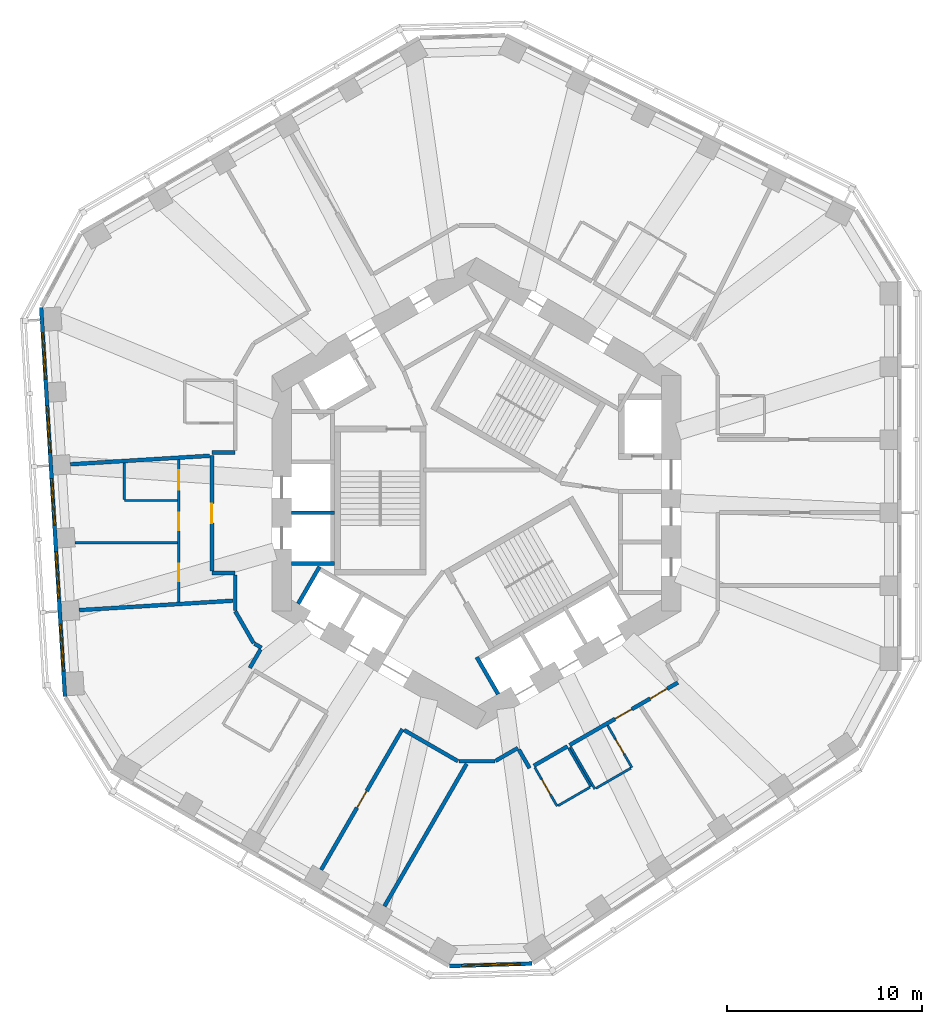
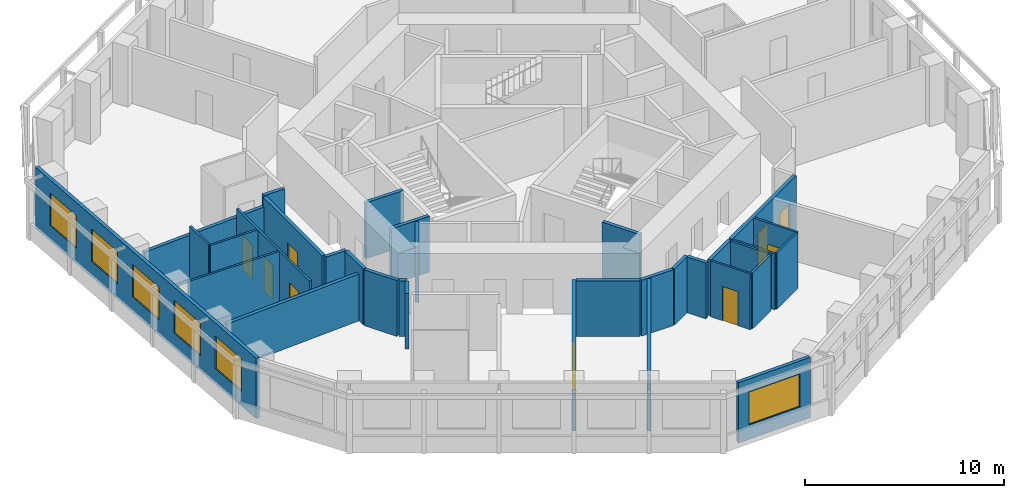
# One storey, part 4 of 11: 33 walls, 9 doors, 6 windows, 15 openings.
"""IFC4 building model written with IfcOpenShell, lengths in metres."""

from ifc_helpers import new_model, si_unit, direction, frame, frame_2d, origin, place, context, subcontext, project, spatial, rectangle, extrude, material, layer, layer_set, type_object, element, fill, save


model = new_model("IFC4")

# Units and contexts
model_context = context("Model", 3, precision=1e-05, world=origin(), true_north=direction((0.0, 1.0)))
body_context = subcontext(model_context, "Body", "Model", "MODEL_VIEW")
ifc_project = project(units=[si_unit("LENGTHUNIT", "METRE"), si_unit("AREAUNIT", "SQUARE_METRE"), si_unit("VOLUMEUNIT", "CUBIC_METRE"), si_unit("PLANEANGLEUNIT", "RADIAN"), si_unit("MASSUNIT", "GRAM", prefix="KILO")], contexts=[model_context])

# Site, building, storey
site_placement = place(None, origin())
site = spatial("IfcSite", under=ifc_project, at=site_placement, CompositionType="ELEMENT")
building_placement = place(site_placement, origin())
building = spatial("IfcBuilding", under=site, at=building_placement, Name="Vanh Sen Convention Tower", CompositionType="ELEMENT")
storey_placement = place(building_placement, frame((0.0, 0.0, 176.199951171875)))
storey = spatial("IfcBuildingStorey", under=building, at=storey_placement, Name="L43", CompositionType="ELEMENT", Elevation=176.199951171875)

# Walls
ifc_material_1 = material(Name="Moisture-resistant gypsum board on steel studs", Category="steel")
ifc_layer_1 = layer(ifc_material_1, 0.1201171875)
ifc_layer_set_1 = layer_set([ifc_layer_1], Name="Moisture-resistant gypsum board on steel studs")
wall_type_1 = type_object("IfcWallType", Name="Bathroom partition 120", PredefinedType="PARTITIONING", material=ifc_layer_set_1)
wall_1_placement = place(storey_placement, frame((-20.63330078125, -2.540771484375, 0.0), z_axis=(0.0, 0.0, 1.0), x_axis=(1.0, 0.0, 0.0)))
element("IfcWall", 1, at=wall_1_placement, inside=storey, type_object=wall_type_1, Name="Bathroom partition 120", PredefinedType="PARTITIONING", context=body_context, shape_type="SweptSolid", body=[
    extrude(rectangle(XDim=5.272216796875, YDim=0.1201171875, at=frame_2d((2.63623046875, 0.0))), origin(), (0.0, 0.0, 1.0), 3.420166015625),
])
wall_2_placement = place(storey_placement, frame((-18.10107421875, -0.369384765625, 0.0), z_axis=(0.0, 0.0, 1.0), x_axis=(1.0, 0.0, 0.0)))
element("IfcWall", 2, at=wall_2_placement, inside=storey, type_object=wall_type_1, Name="Bathroom partition 120", PredefinedType="PARTITIONING", context=body_context, shape_type="SweptSolid", body=[
    extrude(rectangle(XDim=2.739990234375, YDim=0.1201171875, at=frame_2d((1.3701171875, 0.0))), origin(), (0.0, 0.0, 1.0), 3.420166015625),
])
wall_3_placement = place(storey_placement, frame((-18.10107421875, 1.559326171875, 0.0), z_axis=(0.0, 0.0, 1.0), x_axis=(0.0, -1.0, 0.0)))
element("IfcWall", 3, at=wall_3_placement, inside=storey, type_object=wall_type_1, Name="Bathroom partition 120", PredefinedType="PARTITIONING", context=body_context, shape_type="SweptSolid", body=[
    extrude(rectangle(XDim=1.86865234375, YDim=0.1201171875, at=frame_2d((0.934326171875, 0.0))), origin(), (0.0, 0.0, 1.0), 3.420166015625),
])

# Wall, openings, doors
wall_4_placement = place(storey_placement, frame((-15.301025390625, 1.730712890625, 0.0), z_axis=(0.0, 0.0, 1.0), x_axis=(0.0, -1.0, 0.0)))
wall_4 = element("IfcWall", 4, at=wall_4_placement, inside=storey, type_object=wall_type_1, Name="Bathroom partition 120", PredefinedType="PARTITIONING", context=body_context, shape_type="SweptSolid", body=[
    extrude(rectangle(XDim=7.322265625, YDim=0.1201171875, at=frame_2d((3.6611328125, 0.0))), origin(), (0.0, 0.0, 1.0), 3.420166015625),
])
opening_1_placement = place(wall_4_placement, frame((0.550048828125, 0.0, 0.0)))
opening_1 = element("IfcOpeningElement", 5, at=opening_1_placement, cuts=wall_4, Name="Opening D41110", PredefinedType="OPENING", context=body_context, shape_type="SweptSolid", body=[
    extrude(rectangle(XDim=1.0, YDim=2.10009765625, at=frame_2d((0.5, 1.050048828125))), frame((0.0, 0.070068359375, 0.0), z_axis=(0.0, -1.0, 0.0), x_axis=(1.0, 0.0, 0.0)), (0.0, 0.0, 1.0), 0.14013671875),
])
opening_2_placement = place(wall_4_placement, frame((2.735595703125, 0.0, 0.0)))
opening_2 = element("IfcOpeningElement", 6, at=opening_2_placement, cuts=wall_4, Name="Opening D41111", PredefinedType="OPENING", context=body_context, shape_type="SweptSolid", body=[
    extrude(rectangle(XDim=0.89990234375, YDim=2.10009765625, at=frame_2d((0.449951171875, 1.050048828125))), frame((0.0, 0.070068359375, 0.0), z_axis=(0.0, -1.0, 0.0), x_axis=(1.0, 0.0, 0.0)), (0.0, 0.0, 1.0), 0.14013671875),
])
opening_3_placement = place(wall_4_placement, frame((5.3466796875, 0.0, 0.0)))
opening_3 = element("IfcOpeningElement", 7, at=opening_3_placement, cuts=wall_4, Name="Opening D41112", PredefinedType="OPENING", context=body_context, shape_type="SweptSolid", body=[
    extrude(rectangle(XDim=0.89990234375, YDim=2.10009765625, at=frame_2d((0.449951171875, 1.050048828125))), frame((0.0, 0.070068359375, 0.0), z_axis=(0.0, -1.0, 0.0), x_axis=(1.0, 0.0, 0.0)), (0.0, 0.0, 1.0), 0.14013671875),
])
ifc_material_2 = material(Name="Laminate door in steel frame", Category="steel")
door_type_1 = type_object("IfcDoorType", Name="Accessible WC door 1000", OperationType="SINGLE_SWING_LEFT", PredefinedType="DOOR", material=ifc_material_2)
door_1_placement = place(opening_1_placement, origin())
door_1 = element("IfcDoor", 8, at=door_1_placement, inside=storey, type_object=door_type_1, Name="Accessible WC door D41110", OperationType="SINGLE_SWING_LEFT", OverallHeight=2.10009765625, OverallWidth=1.0, PredefinedType="DOOR", context=body_context, shape_type="SweptSolid", body=[
    extrude(rectangle(XDim=1.0, YDim=2.10009765625, at=frame_2d((0.5, 1.050048828125))), frame((0.0, 0.02490234375, 0.0), z_axis=(0.0, -1.0, 0.0), x_axis=(1.0, 0.0, 0.0)), (0.0, 0.0, 1.0), 0.050048828125),
])
fill(opening_1, door_1)
door_type_2 = type_object("IfcDoorType", Name="Room internal door 900", OperationType="SINGLE_SWING_LEFT", PredefinedType="DOOR", material=ifc_material_2)
door_2_placement = place(opening_2_placement, origin())
door_2 = element("IfcDoor", 9, at=door_2_placement, inside=storey, type_object=door_type_2, Name="Internal room door D41111", OperationType="SINGLE_SWING_LEFT", OverallHeight=2.10009765625, OverallWidth=0.89990234375, PredefinedType="DOOR", context=body_context, shape_type="SweptSolid", body=[
    extrude(rectangle(XDim=0.89990234375, YDim=2.10009765625, at=frame_2d((0.449951171875, 1.050048828125))), frame((0.0, 0.02490234375, 0.0), z_axis=(0.0, -1.0, 0.0), x_axis=(1.0, 0.0, 0.0)), (0.0, 0.0, 1.0), 0.050048828125),
])
fill(opening_2, door_2)
door_3_placement = place(opening_3_placement, origin())
door_3 = element("IfcDoor", 10, at=door_3_placement, inside=storey, type_object=door_type_2, Name="Internal room door D41112", OperationType="SINGLE_SWING_LEFT", OverallHeight=2.10009765625, OverallWidth=0.89990234375, PredefinedType="DOOR", context=body_context, shape_type="SweptSolid", body=[
    extrude(rectangle(XDim=0.89990234375, YDim=2.10009765625, at=frame_2d((0.449951171875, 1.050048828125))), frame((0.0, 0.02490234375, 0.0), z_axis=(0.0, -1.0, 0.0), x_axis=(1.0, 0.0, 0.0)), (0.0, 0.0, 1.0), 0.050048828125),
])
fill(opening_3, door_3)

# Wall, opening, door
wall_5_placement = place(storey_placement, frame((4.145751953125, -16.082763671875, 0.0), z_axis=(0.0, 0.0, 1.0), x_axis=(-0.499952165731, 0.866053019151, 0.0)))
wall_5 = element("IfcWall", 11, at=wall_5_placement, inside=storey, type_object=wall_type_1, Name="Bathroom partition 120", PredefinedType="PARTITIONING", context=body_context, shape_type="SweptSolid", body=[
    extrude(rectangle(XDim=2.300048828125, YDim=0.1201171875, at=frame_2d((1.14990234375, 0.0))), origin(), (0.0, 0.0, 1.0), 3.420166015625),
])
opening_4_placement = place(wall_5_placement, frame((0.699951171875, 0.0, 0.0)))
opening_4 = element("IfcOpeningElement", 12, at=opening_4_placement, cuts=wall_5, Name="Opening D41117", PredefinedType="OPENING", context=body_context, shape_type="SweptSolid", body=[
    extrude(rectangle(XDim=0.89990234375, YDim=2.10009765625, at=frame_2d((0.449951171875, 1.050048828125))), frame((0.0, 0.070068359375, 0.0), z_axis=(0.0, -1.0, 0.0), x_axis=(1.0, 0.0, 0.0)), (0.0, 0.0, 1.0), 0.14013671875),
])
door_4_placement = place(opening_4_placement, origin())
door_4 = element("IfcDoor", 13, at=door_4_placement, inside=storey, type_object=door_type_2, Name="Internal room door D41117", OperationType="SINGLE_SWING_LEFT", OverallHeight=2.10009765625, OverallWidth=0.89990234375, PredefinedType="DOOR", context=body_context, shape_type="SweptSolid", body=[
    extrude(rectangle(XDim=0.89990234375, YDim=2.10009765625, at=frame_2d((0.449951171875, 1.050048828125))), frame((0.0, 0.02490234375, 0.0), z_axis=(0.0, -1.0, 0.0), x_axis=(1.0, 0.0, 0.0)), (0.0, 0.0, 1.0), 0.050048828125),
])
fill(opening_4, door_4)

# Walls
wall_6_placement = place(storey_placement, frame((4.727783203125, -13.0908203125, 0.0), z_axis=(0.0, 0.0, 1.0), x_axis=(0.500031774688, -0.866007057882, 0.0)))
element("IfcWall", 14, at=wall_6_placement, inside=storey, type_object=wall_type_1, Name="Bathroom partition 120", PredefinedType="PARTITIONING", context=body_context, shape_type="SweptSolid", body=[
    extrude(rectangle(XDim=2.300048828125, YDim=0.1201171875, at=frame_2d((1.14990234375, 0.0))), origin(), (0.0, 0.0, 1.0), 3.420166015625),
])
wall_7_placement = place(storey_placement, frame((5.825927734375, -15.11279296875, 0.0), z_axis=(0.0, 0.0, 1.0), x_axis=(-0.866045024864, -0.499966013754, 0.0)))
element("IfcWall", 15, at=wall_7_placement, inside=storey, type_object=wall_type_1, Name="Bathroom partition 120", PredefinedType="PARTITIONING", context=body_context, shape_type="SweptSolid", body=[
    extrude(rectangle(XDim=1.880126953125, YDim=0.1201171875, at=frame_2d((0.93994140625, 0.0))), origin(), (0.0, 0.0, 1.0), 3.420166015625),
])
wall_8_placement = place(storey_placement, frame((6.081787109375, -15.196044921875, 0.0), z_axis=(0.0, 0.0, 1.0), x_axis=(-0.500004234368, 0.866022959057, 0.0)))
element("IfcWall", 16, at=wall_8_placement, inside=storey, type_object=wall_type_1, Name="Bathroom partition 120", PredefinedType="PARTITIONING", context=body_context, shape_type="SweptSolid", body=[
    extrude(rectangle(XDim=2.5, YDim=0.1201171875, at=frame_2d((1.25, 0.0))), origin(), (0.0, 0.0, 1.0), 3.420166015625),
])

# Wall, opening, door
wall_9_placement = place(storey_placement, frame((6.737060546875, -11.930908203125, 0.0), z_axis=(0.0, 0.0, 1.0), x_axis=(0.500004234368, -0.866022959057, 0.0)))
wall_9 = element("IfcWall", 17, at=wall_9_placement, inside=storey, type_object=wall_type_1, Name="Bathroom partition 120", PredefinedType="PARTITIONING", context=body_context, shape_type="SweptSolid", body=[
    extrude(rectangle(XDim=2.5, YDim=0.1201171875, at=frame_2d((1.25, 0.0))), origin(), (0.0, 0.0, 1.0), 3.420166015625),
])
opening_5_placement = place(wall_9_placement, frame((0.800048828125, 0.0, 0.0)))
opening_5 = element("IfcOpeningElement", 18, at=opening_5_placement, cuts=wall_9, Name="Opening D41118", PredefinedType="OPENING", context=body_context, shape_type="SweptSolid", body=[
    extrude(rectangle(XDim=0.89990234375, YDim=2.10009765625, at=frame_2d((0.449951171875, 1.050048828125))), frame((0.0, 0.070068359375, 0.0), z_axis=(0.0, -1.0, 0.0), x_axis=(1.0, 0.0, 0.0)), (0.0, 0.0, 1.0), 0.14013671875),
])
door_5_placement = place(opening_5_placement, origin())
door_5 = element("IfcDoor", 19, at=door_5_placement, inside=storey, type_object=door_type_2, Name="Internal room door D41118", OperationType="SINGLE_SWING_LEFT", OverallHeight=2.10009765625, OverallWidth=0.89990234375, PredefinedType="DOOR", context=body_context, shape_type="SweptSolid", body=[
    extrude(rectangle(XDim=0.89990234375, YDim=2.10009765625, at=frame_2d((0.449951171875, 1.050048828125))), frame((0.0, 0.02490234375, 0.0), z_axis=(0.0, -1.0, 0.0), x_axis=(1.0, 0.0, 0.0)), (0.0, 0.0, 1.0), 0.050048828125),
])
fill(opening_5, door_5)

# Walls
wall_10_placement = place(storey_placement, frame((7.93505859375, -14.1259765625, 0.0), z_axis=(0.0, 0.0, 1.0), x_axis=(-0.866009661879, -0.500027264788, 0.0)))
element("IfcWall", 20, at=wall_10_placement, inside=storey, type_object=wall_type_1, Name="Bathroom partition 120", PredefinedType="PARTITIONING", context=body_context, shape_type="SweptSolid", body=[
    extrude(rectangle(XDim=2.080078125, YDim=0.1201171875, at=frame_2d((1.0400390625, 0.0))), origin(), (0.0, 0.0, 1.0), 3.420166015625),
])
ifc_material_3 = material(Name="Gypsum board on steel studs with mineral wool", Category="steel")
ifc_layer_2 = layer(ifc_material_3, 0.199951171875)
ifc_layer_set_2 = layer_set([ifc_layer_2], Name="Gypsum board on steel studs with mineral wool")
wall_type_2 = type_object("IfcWallType", Name="Corridor partition wall 200", PredefinedType="PARTITIONING", material=ifc_layer_set_2)
wall_11_placement = place(storey_placement, frame((-13.60107421875, -4.10107421875, 0.0), z_axis=(0.0, 0.0, 1.0), x_axis=(1.0, 0.0, 0.0)))
element("IfcWall", 21, at=wall_11_placement, inside=storey, type_object=wall_type_2, Name="Corridor partition wall 200", PredefinedType="PARTITIONING", context=body_context, shape_type="SweptSolid", body=[
    extrude(rectangle(XDim=1.201171875, YDim=0.199951171875, at=frame_2d((0.6005859375, 0.0))), origin(), (0.0, 0.0, 1.0), 3.420166015625),
])

# Wall, opening, door
wall_12_placement = place(storey_placement, frame((-13.60107421875, 1.9345703125, 0.0), z_axis=(0.0, 0.0, 1.0), x_axis=(0.0, -1.0, 0.0)))
wall_12 = element("IfcWall", 22, at=wall_12_placement, inside=storey, type_object=wall_type_2, Name="Corridor partition wall 200", PredefinedType="PARTITIONING", context=body_context, shape_type="SweptSolid", body=[
    extrude(rectangle(XDim=5.935546875, YDim=0.199951171875, at=frame_2d((2.9677734375, 0.0))), origin(), (0.0, 0.0, 1.0), 3.420166015625),
])
opening_6_placement = place(wall_12_placement, frame((2.4677734375, 0.0, 0.0)))
opening_6 = element("IfcOpeningElement", 23, at=opening_6_placement, cuts=wall_12, Name="Opening D41109", PredefinedType="OPENING", context=body_context, shape_type="SweptSolid", body=[
    extrude(rectangle(XDim=1.0, YDim=2.10009765625, at=frame_2d((0.5, 1.050048828125))), frame((0.0, 0.10986328125, 0.0), z_axis=(0.0, -1.0, 0.0), x_axis=(1.0, 0.0, 0.0)), (0.0, 0.0, 1.0), 0.219970703125),
])
ifc_material_4 = material(Name="Timber fire door in steel frame", Category="steel")
door_type_3 = type_object("IfcDoorType", Name="Floor room door 1000", OperationType="SINGLE_SWING_LEFT", PredefinedType="DOOR", material=ifc_material_4)
door_6_placement = place(opening_6_placement, origin())
door_6 = element("IfcDoor", 24, at=door_6_placement, inside=storey, type_object=door_type_3, Name="Meeting and amenity room door D41109", OperationType="SINGLE_SWING_LEFT", OverallHeight=2.10009765625, OverallWidth=1.0, PredefinedType="DOOR", context=body_context, shape_type="SweptSolid", body=[
    extrude(rectangle(XDim=1.0, YDim=2.10009765625, at=frame_2d((0.5, 1.050048828125))), frame((0.0, 0.02490234375, 0.0), z_axis=(0.0, -1.0, 0.0), x_axis=(1.0, 0.0, 0.0)), (0.0, 0.0, 1.0), 0.050048828125),
])
fill(opening_6, door_6)

# Walls
wall_13_placement = place(storey_placement, frame((-12.39990234375, -6.062255859375, 0.0), z_axis=(0.0, 0.0, 1.0), x_axis=(0.500022797313, -0.86601224135, 0.0)))
element("IfcWall", 25, at=wall_13_placement, inside=storey, type_object=wall_type_2, Name="Corridor partition wall 200", PredefinedType="PARTITIONING", context=body_context, shape_type="SweptSolid", body=[
    extrude(rectangle(XDim=1.89990234375, YDim=0.199951171875, at=frame_2d((0.949951171875, 0.0))), origin(), (0.0, 0.0, 1.0), 3.420166015625),
])
wall_14_placement = place(storey_placement, frame((-12.39990234375, -4.200927734375, 0.0), z_axis=(0.0, 0.0, 1.0), x_axis=(0.0, -1.0, 0.0)))
element("IfcWall", 26, at=wall_14_placement, inside=storey, type_object=wall_type_2, Name="Corridor partition wall 200", PredefinedType="PARTITIONING", context=body_context, shape_type="SweptSolid", body=[
    extrude(rectangle(XDim=1.8212890625, YDim=0.199951171875, at=frame_2d((0.91064453125, 0.0))), origin(), (0.0, 0.0, 1.0), 3.420166015625),
])
wall_15_placement = place(storey_placement, frame((-12.39990234375, 2.10107421875, 0.0), z_axis=(0.0, 0.0, 1.0), x_axis=(-1.0, 0.0, 0.0)))
element("IfcWall", 27, at=wall_15_placement, inside=storey, type_object=wall_type_2, Name="Corridor partition wall 200", PredefinedType="PARTITIONING", context=body_context, shape_type="SweptSolid", body=[
    extrude(rectangle(XDim=1.201171875, YDim=0.199951171875, at=frame_2d((0.6005859375, 0.0))), origin(), (0.0, 0.0, 1.0), 3.420166015625),
])
wall_16_placement = place(storey_placement, frame((-11.415283203125, -7.7275390625, 0.0), z_axis=(0.0, 0.0, 1.0), x_axis=(0.865915281873, -0.500190688257, 0.0)))
element("IfcWall", 28, at=wall_16_placement, inside=storey, type_object=wall_type_2, Name="Corridor partition wall 200", PredefinedType="PARTITIONING", context=body_context, shape_type="SweptSolid", body=[
    extrude(rectangle(XDim=0.421142578125, YDim=0.199951171875, at=frame_2d((0.21044921875, 0.0))), origin(), (0.0, 0.0, 1.0), 3.420166015625),
])
wall_17_placement = place(storey_placement, frame((-11.1005859375, -8.02490234375, 0.0), z_axis=(0.0, 0.0, 1.0), x_axis=(-0.500074377092, -0.865982457891, 0.0)))
element("IfcWall", 29, at=wall_17_placement, inside=storey, type_object=wall_type_2, Name="Corridor partition wall 200", PredefinedType="PARTITIONING", context=body_context, shape_type="SweptSolid", body=[
    extrude(rectangle(XDim=1.100830078125, YDim=0.199951171875, at=frame_2d((0.55029296875, 0.0))), origin(), (0.0, 0.0, 1.0), 3.420166015625),
])

# Wall, opening, door
wall_18_placement = place(storey_placement, frame((-7.983642578125, -19.3505859375, 0.0), z_axis=(0.0, 0.0, 1.0), x_axis=(0.500010139422, 0.866019549707, 0.0)))
wall_18 = element("IfcWall", 30, at=wall_18_placement, inside=storey, type_object=wall_type_2, Name="Corridor partition wall 200", PredefinedType="PARTITIONING", context=body_context, shape_type="SweptSolid", body=[
    extrude(rectangle(XDim=8.349853515625, YDim=0.199951171875, at=frame_2d((4.1748046875, 0.0))), origin(), (0.0, 0.0, 1.0), 3.420166015625),
])
opening_7_placement = place(wall_18_placement, frame((3.675048828125, 0.0, 0.0)))
opening_7 = element("IfcOpeningElement", 31, at=opening_7_placement, cuts=wall_18, Name="Opening D41115", PredefinedType="OPENING", context=body_context, shape_type="SweptSolid", body=[
    extrude(rectangle(XDim=1.0, YDim=2.10009765625, at=frame_2d((0.5, 1.050048828125))), frame((0.0, 0.10986328125, 0.0), z_axis=(0.0, -1.0, 0.0), x_axis=(1.0, 0.0, 0.0)), (0.0, 0.0, 1.0), 0.219970703125),
])
ifc_material_5 = material(Name="Glazed fire door in steel frame", Category="steel")
door_type_4 = type_object("IfcDoorType", Name="Tenant entrance door 1000", OperationType="SINGLE_SWING_LEFT", PredefinedType="DOOR", material=ifc_material_5)
door_7_placement = place(opening_7_placement, origin())
door_7 = element("IfcDoor", 32, at=door_7_placement, inside=storey, type_object=door_type_4, Name="Tenant suite entrance door D41115", OperationType="SINGLE_SWING_LEFT", OverallHeight=2.10009765625, OverallWidth=1.0, PredefinedType="DOOR", context=body_context, shape_type="SweptSolid", body=[
    extrude(rectangle(XDim=1.0, YDim=2.10009765625, at=frame_2d((0.5, 1.050048828125))), frame((0.0, 0.02490234375, 0.0), z_axis=(0.0, -1.0, 0.0), x_axis=(1.0, 0.0, 0.0)), (0.0, 0.0, 1.0), 0.050048828125),
])
fill(opening_7, door_7)

# Walls
wall_19_placement = place(storey_placement, frame((-3.721923828125, -12.16943359375, 0.0), z_axis=(0.0, 0.0, 1.0), x_axis=(0.866033163891, -0.499986558861, 0.0)))
element("IfcWall", 33, at=wall_19_placement, inside=storey, type_object=wall_type_2, Name="Corridor partition wall 200", PredefinedType="PARTITIONING", context=body_context, shape_type="SweptSolid", body=[
    extrude(rectangle(XDim=3.20068359375, YDim=0.199951171875, at=frame_2d((1.600341796875, 0.0))), origin(), (0.0, 0.0, 1.0), 3.420166015625),
])
wall_20_placement = place(storey_placement, frame((-0.909912109375, -13.769775390625, 0.0), z_axis=(0.0, 0.0, 1.0), x_axis=(1.0, 0.0, 0.0)))
element("IfcWall", 34, at=wall_20_placement, inside=storey, type_object=wall_type_2, Name="Corridor partition wall 200", PredefinedType="PARTITIONING", context=body_context, shape_type="SweptSolid", body=[
    extrude(rectangle(XDim=1.85986328125, YDim=0.199951171875, at=frame_2d((0.929931640625, 0.0))), origin(), (0.0, 0.0, 1.0), 3.420166015625),
])
wall_21_placement = place(storey_placement, frame((0.984619140625, -13.749755859375, 0.0), z_axis=(0.0, 0.0, 1.0), x_axis=(0.866028661061, 0.499994358189, 0.0)))
element("IfcWall", 35, at=wall_21_placement, inside=storey, type_object=wall_type_2, Name="Corridor partition wall 200", PredefinedType="PARTITIONING", context=body_context, shape_type="SweptSolid", body=[
    extrude(rectangle(XDim=1.3212890625, YDim=0.199951171875, at=frame_2d((0.66064453125, 0.0))), origin(), (0.0, 0.0, 1.0), 3.420166015625),
])
wall_22_placement = place(storey_placement, frame((2.1787109375, -13.17578125, 0.0), z_axis=(0.0, 0.0, 1.0), x_axis=(0.499978356969, -0.866037899034, 0.0)))
element("IfcWall", 36, at=wall_22_placement, inside=storey, type_object=wall_type_2, Name="Corridor partition wall 200", PredefinedType="PARTITIONING", context=body_context, shape_type="SweptSolid", body=[
    extrude(rectangle(XDim=1.10107421875, YDim=0.199951171875, at=frame_2d((0.550537109375, 0.0))), origin(), (0.0, 0.0, 1.0), 3.420166015625),
])
wall_23_placement = place(storey_placement, frame((2.94580078125, -14.00439453125, 0.0), z_axis=(0.0, 0.0, 1.0), x_axis=(0.866041268327, 0.499972520799, 0.0)))
element("IfcWall", 37, at=wall_23_placement, inside=storey, type_object=wall_type_2, Name="Corridor partition wall 200", PredefinedType="PARTITIONING", context=body_context, shape_type="SweptSolid", body=[
    extrude(rectangle(XDim=2.0, YDim=0.199951171875, at=frame_2d((1.0, 0.0))), origin(), (0.0, 0.0, 1.0), 3.420166015625),
])

# Wall, openings, doors
wall_24_placement = place(storey_placement, frame((4.78173828125, -12.9443359375, 0.0), z_axis=(0.0, 0.0, 1.0), x_axis=(0.866022506829, 0.50000501764, 0.0)))
wall_24 = element("IfcWall", 38, at=wall_24_placement, inside=storey, type_object=wall_type_2, Name="Corridor partition wall 200", PredefinedType="PARTITIONING", context=body_context, shape_type="SweptSolid", body=[
    extrude(rectangle(XDim=6.43212890625, YDim=0.199951171875, at=frame_2d((3.216064453125, 0.0))), origin(), (0.0, 0.0, 1.0), 3.420166015625),
])
opening_8_placement = place(wall_24_placement, frame((2.70361328125, 0.0, 0.0)))
opening_8 = element("IfcOpeningElement", 39, at=opening_8_placement, cuts=wall_24, Name="Opening D41116", PredefinedType="OPENING", context=body_context, shape_type="SweptSolid", body=[
    extrude(rectangle(XDim=1.0, YDim=2.10009765625, at=frame_2d((0.5, 1.050048828125))), frame((0.0, 0.10986328125, 0.0), z_axis=(0.0, -1.0, 0.0), x_axis=(1.0, 0.0, 0.0)), (0.0, 0.0, 1.0), 0.219970703125),
])
opening_9_placement = place(wall_24_placement, frame((4.794677734375, 0.0, 0.0)))
opening_9 = element("IfcOpeningElement", 40, at=opening_9_placement, cuts=wall_24, Name="Opening D41119", PredefinedType="OPENING", context=body_context, shape_type="SweptSolid", body=[
    extrude(rectangle(XDim=1.0, YDim=2.10009765625, at=frame_2d((0.5, 1.050048828125))), frame((0.0, 0.10986328125, 0.0), z_axis=(0.0, -1.0, 0.0), x_axis=(1.0, 0.0, 0.0)), (0.0, 0.0, 1.0), 0.219970703125),
])
door_8_placement = place(opening_9_placement, origin())
door_8 = element("IfcDoor", 41, at=door_8_placement, inside=storey, type_object=door_type_3, Name="Meeting and amenity room door D41119", OperationType="SINGLE_SWING_LEFT", OverallHeight=2.10009765625, OverallWidth=1.0, PredefinedType="DOOR", context=body_context, shape_type="SweptSolid", body=[
    extrude(rectangle(XDim=1.0, YDim=2.10009765625, at=frame_2d((0.5, 1.050048828125))), frame((0.0, 0.02490234375, 0.0), z_axis=(0.0, -1.0, 0.0), x_axis=(1.0, 0.0, 0.0)), (0.0, 0.0, 1.0), 0.050048828125),
])
fill(opening_9, door_8)
door_9_placement = place(opening_8_placement, origin())
door_9 = element("IfcDoor", 42, at=door_9_placement, inside=storey, type_object=door_type_4, Name="Tenant suite entrance door D41116", OperationType="SINGLE_SWING_LEFT", OverallHeight=2.10009765625, OverallWidth=1.0, PredefinedType="DOOR", context=body_context, shape_type="SweptSolid", body=[
    extrude(rectangle(XDim=1.0, YDim=2.10009765625, at=frame_2d((0.5, 1.050048828125))), frame((0.0, 0.02490234375, 0.0), z_axis=(0.0, -1.0, 0.0), x_axis=(1.0, 0.0, 0.0)), (0.0, 0.0, 1.0), 0.050048828125),
])
fill(opening_8, door_9)

# Wall, openings, windows
ifc_material_6 = material(Name="Insulated lightweight infill wall")
ifc_layer_3 = layer(ifc_material_6, 0.199951171875)
ifc_layer_set_3 = layer_set([ifc_layer_3], Name="Insulated lightweight infill wall")
wall_type_3 = type_object("IfcWallType", Name="External wall 200", PredefinedType="STANDARD", material=ifc_layer_set_3)
wall_25_placement = place(storey_placement, frame((-22.375, 9.55712890625, 0.0), z_axis=(0.0, 0.0, 1.0), x_axis=(0.061036015339, -0.998135564356, 0.0)))
wall_25 = element("IfcWall", 43, at=wall_25_placement, inside=storey, type_object=wall_type_3, Name="External wall W L43", PredefinedType="STANDARD", context=body_context, shape_type="SweptSolid", body=[
    extrude(rectangle(XDim=20.043701171875, YDim=0.199951171875, at=frame_2d((10.02197265625, 0.0))), origin(), (0.0, 0.0, 1.0), 3.699951171875),
])
opening_10_placement = place(wall_25_placement, frame((1.312744140625, 0.0, 0.89990234375)))
opening_10 = element("IfcOpeningElement", 44, at=opening_10_placement, cuts=wall_25, Name="Opening WO1-W1", PredefinedType="OPENING", context=body_context, shape_type="SweptSolid", body=[
    extrude(rectangle(XDim=2.39990234375, YDim=2.0, at=frame_2d((1.199951171875, 1.0))), frame((0.0, 0.10986328125, 0.0), z_axis=(0.0, -1.0, 0.0), x_axis=(1.0, 0.0, 0.0)), (0.0, 0.0, 1.0), 0.219970703125),
])
opening_11_placement = place(wall_25_placement, frame((5.06689453125, 0.0, 0.89990234375)))
opening_11 = element("IfcOpeningElement", 45, at=opening_11_placement, cuts=wall_25, Name="Opening WO1-W2", PredefinedType="OPENING", context=body_context, shape_type="SweptSolid", body=[
    extrude(rectangle(XDim=2.39990234375, YDim=2.0, at=frame_2d((1.199951171875, 1.0))), frame((0.0, 0.10986328125, 0.0), z_axis=(0.0, -1.0, 0.0), x_axis=(1.0, 0.0, 0.0)), (0.0, 0.0, 1.0), 0.219970703125),
])
opening_12_placement = place(wall_25_placement, frame((8.821044921875, 0.0, 0.89990234375)))
opening_12 = element("IfcOpeningElement", 46, at=opening_12_placement, cuts=wall_25, Name="Opening WO1-W3", PredefinedType="OPENING", context=body_context, shape_type="SweptSolid", body=[
    extrude(rectangle(XDim=2.39990234375, YDim=2.0, at=frame_2d((1.199951171875, 1.0))), frame((0.0, 0.10986328125, 0.0), z_axis=(0.0, -1.0, 0.0), x_axis=(1.0, 0.0, 0.0)), (0.0, 0.0, 1.0), 0.219970703125),
])
opening_13_placement = place(wall_25_placement, frame((12.5751953125, 0.0, 0.89990234375)))
opening_13 = element("IfcOpeningElement", 47, at=opening_13_placement, cuts=wall_25, Name="Opening WO1-W4", PredefinedType="OPENING", context=body_context, shape_type="SweptSolid", body=[
    extrude(rectangle(XDim=2.39990234375, YDim=2.0, at=frame_2d((1.199951171875, 1.0))), frame((0.0, 0.10986328125, 0.0), z_axis=(0.0, -1.0, 0.0), x_axis=(1.0, 0.0, 0.0)), (0.0, 0.0, 1.0), 0.219970703125),
])
opening_14_placement = place(wall_25_placement, frame((16.329345703125, 0.0, 0.89990234375)))
opening_14 = element("IfcOpeningElement", 48, at=opening_14_placement, cuts=wall_25, Name="Opening WO1-W5", PredefinedType="OPENING", context=body_context, shape_type="SweptSolid", body=[
    extrude(rectangle(XDim=2.39990234375, YDim=2.0, at=frame_2d((1.199951171875, 1.0))), frame((0.0, 0.10986328125, 0.0), z_axis=(0.0, -1.0, 0.0), x_axis=(1.0, 0.0, 0.0)), (0.0, 0.0, 1.0), 0.219970703125),
])
ifc_material_7 = material(Name="Aluminium frame with clear low-emissivity glass", Category="aluminium")
window_type_1 = type_object("IfcWindowType", Name="Office window 2400 x 2000", PartitioningType="SINGLE_PANEL", PredefinedType="WINDOW", material=ifc_material_7)
window_1_placement = place(opening_10_placement, origin())
window_1 = element("IfcWindow", 49, at=window_1_placement, inside=storey, type_object=window_type_1, Name="Window WO1-W1", OverallHeight=2.0, OverallWidth=2.39990234375, PartitioningType="SINGLE_PANEL", PredefinedType="WINDOW", context=body_context, shape_type="SweptSolid", body=[
    extrude(rectangle(XDim=2.39990234375, YDim=2.0, at=frame_2d((1.199951171875, 1.0))), frame((0.0, 0.030029296875, 0.0), z_axis=(0.0, -1.0, 0.0), x_axis=(1.0, 0.0, 0.0)), (0.0, 0.0, 1.0), 0.06005859375),
])
fill(opening_10, window_1)
window_2_placement = place(opening_11_placement, origin())
window_2 = element("IfcWindow", 50, at=window_2_placement, inside=storey, type_object=window_type_1, Name="Window WO1-W2", OverallHeight=2.0, OverallWidth=2.39990234375, PartitioningType="SINGLE_PANEL", PredefinedType="WINDOW", context=body_context, shape_type="SweptSolid", body=[
    extrude(rectangle(XDim=2.39990234375, YDim=2.0, at=frame_2d((1.199951171875, 1.0))), frame((0.0, 0.030029296875, 0.0), z_axis=(0.0, -1.0, 0.0), x_axis=(1.0, 0.0, 0.0)), (0.0, 0.0, 1.0), 0.06005859375),
])
fill(opening_11, window_2)
window_3_placement = place(opening_12_placement, origin())
window_3 = element("IfcWindow", 51, at=window_3_placement, inside=storey, type_object=window_type_1, Name="Window WO1-W3", OverallHeight=2.0, OverallWidth=2.39990234375, PartitioningType="SINGLE_PANEL", PredefinedType="WINDOW", context=body_context, shape_type="SweptSolid", body=[
    extrude(rectangle(XDim=2.39990234375, YDim=2.0, at=frame_2d((1.199951171875, 1.0))), frame((0.0, 0.030029296875, 0.0), z_axis=(0.0, -1.0, 0.0), x_axis=(1.0, 0.0, 0.0)), (0.0, 0.0, 1.0), 0.06005859375),
])
fill(opening_12, window_3)
window_4_placement = place(opening_13_placement, origin())
window_4 = element("IfcWindow", 52, at=window_4_placement, inside=storey, type_object=window_type_1, Name="Window WO1-W4", OverallHeight=2.0, OverallWidth=2.39990234375, PartitioningType="SINGLE_PANEL", PredefinedType="WINDOW", context=body_context, shape_type="SweptSolid", body=[
    extrude(rectangle(XDim=2.39990234375, YDim=2.0, at=frame_2d((1.199951171875, 1.0))), frame((0.0, 0.030029296875, 0.0), z_axis=(0.0, -1.0, 0.0), x_axis=(1.0, 0.0, 0.0)), (0.0, 0.0, 1.0), 0.06005859375),
])
fill(opening_13, window_4)
window_5_placement = place(opening_14_placement, origin())
window_5 = element("IfcWindow", 53, at=window_5_placement, inside=storey, type_object=window_type_1, Name="Window WO1-W5", OverallHeight=2.0, OverallWidth=2.39990234375, PartitioningType="SINGLE_PANEL", PredefinedType="WINDOW", context=body_context, shape_type="SweptSolid", body=[
    extrude(rectangle(XDim=2.39990234375, YDim=2.0, at=frame_2d((1.199951171875, 1.0))), frame((0.0, 0.030029296875, 0.0), z_axis=(0.0, -1.0, 0.0), x_axis=(1.0, 0.0, 0.0)), (0.0, 0.0, 1.0), 0.06005859375),
])
fill(opening_14, window_5)

# Wall, opening, window
wall_26_placement = place(storey_placement, frame((-1.377685546875, -24.302001953125, 0.0), z_axis=(0.0, 0.0, 1.0), x_axis=(0.999533857267, 0.030529791629, 0.0)))
wall_26 = element("IfcWall", 54, at=wall_26_placement, inside=storey, type_object=wall_type_3, Name="External wall CH5 L43", PredefinedType="STANDARD", context=body_context, shape_type="SweptSolid", body=[
    extrude(rectangle(XDim=4.23828125, YDim=0.199951171875, at=frame_2d((2.119140625, 0.0))), origin(), (0.0, 0.0, 1.0), 3.699951171875),
])
opening_15_placement = place(wall_26_placement, frame((0.619140625, 0.0, 0.89990234375)))
opening_15 = element("IfcOpeningElement", 55, at=opening_15_placement, cuts=wall_26, Name="Opening WO2-CH51", PredefinedType="OPENING", context=body_context, shape_type="SweptSolid", body=[
    extrude(rectangle(XDim=3.0, YDim=2.0, at=frame_2d((1.5, 1.0))), frame((0.0, 0.10986328125, 0.0), z_axis=(0.0, -1.0, 0.0), x_axis=(1.0, 0.0, 0.0)), (0.0, 0.0, 1.0), 0.219970703125),
])
window_type_2 = type_object("IfcWindowType", Name="Office window 3000 x 2000", PartitioningType="SINGLE_PANEL", PredefinedType="WINDOW", material=ifc_material_7)
window_6_placement = place(opening_15_placement, origin())
window_6 = element("IfcWindow", 56, at=window_6_placement, inside=storey, type_object=window_type_2, Name="Window WO2-CH51", OverallHeight=2.0, OverallWidth=3.0, PartitioningType="SINGLE_PANEL", PredefinedType="WINDOW", context=body_context, shape_type="SweptSolid", body=[
    extrude(rectangle(XDim=3.0, YDim=2.0, at=frame_2d((1.5, 1.0))), frame((0.0, 0.030029296875, 0.0), z_axis=(0.0, -1.0, 0.0), x_axis=(1.0, 0.0, 0.0)), (0.0, 0.0, 1.0), 0.06005859375),
])
fill(opening_15, window_6)

# Walls
ifc_material_8 = material(Name="Concrete C40/50", Category="concrete")
ifc_layer_4 = layer(ifc_material_8, 0.199951171875)
ifc_layer_set_4 = layer_set([ifc_layer_4], Name="Concrete C40/50")
wall_type_4 = type_object("IfcWallType", Name="Lift shaft wall 200", PredefinedType="PARTITIONING", material=ifc_layer_set_4)
for number, where, z_axis, x_axis, name in (
    (57, (-7.300048828125, -1.0, 0.0), (0.0, 0.0, 1.0), (-1.0, 0.0, 0.0), "Lift shaft wall L43"),
    (58, (-7.300048828125, -3.60009765625, 0.0), (0.0, 0.0, 1.0), (-1.0, 0.0, 0.0), "Lift shaft wall L43"),
    (59, (-8.066650390625, -3.77197265625, 0.0), (0.0, 0.0, 1.0), (-0.50002983664, -0.866008176907, 0.0), "Lift shaft wall L43"),
    (60, (0.0126953125, -8.422119140625, 0.0), (0.0, 0.0, 1.0), (0.500077893725, -0.86598042715, 0.0), "Lift shaft wall L43"),
):
    element("IfcWall", number, at=place(storey_placement, frame(where, z_axis=z_axis, x_axis=x_axis)), inside=storey, type_object=wall_type_4, Name=name, PredefinedType="PARTITIONING", context=body_context, shape_type="SweptSolid", body=[
        extrude(rectangle(XDim=2.199951171875, YDim=0.199951171875, at=frame_2d((1.10009765625, 0.0))), origin(), (0.0, 0.0, 1.0), 3.420166015625),
    ])
ifc_layer_5 = layer(ifc_material_3, 0.199951171875)
ifc_layer_set_5 = layer_set([ifc_layer_5], Name="Gypsum board on steel studs with mineral wool")
wall_type_5 = type_object("IfcWallType", Name="Tenant suite wall 200", PredefinedType="PARTITIONING", material=ifc_layer_set_5)
wall_27_placement = place(storey_placement, frame((-20.8798828125, 1.489501953125, 0.0), z_axis=(0.0, 0.0, 1.0), x_axis=(0.998134881975, 0.061047173439, 0.0)))
element("IfcWall", 61, at=wall_27_placement, inside=storey, type_object=wall_type_5, Name="Tenant suite wall 200", PredefinedType="PARTITIONING", context=body_context, shape_type="SweptSolid", body=[
    extrude(rectangle(XDim=7.1826171875, YDim=0.199951171875, at=frame_2d((3.59130859375, 0.0))), origin(), (0.0, 0.0, 1.0), 2.8701171875),
])
wall_28_placement = place(storey_placement, frame((-20.42138671875, -6.0048828125, 0.0), z_axis=(0.0, 0.0, 1.0), x_axis=(0.998134865741, 0.061047438866, 0.0)))
element("IfcWall", 62, at=wall_28_placement, inside=storey, type_object=wall_type_5, Name="Tenant suite wall 200", PredefinedType="PARTITIONING", context=body_context, shape_type="SweptSolid", body=[
    extrude(rectangle(XDim=7.926513671875, YDim=0.199951171875, at=frame_2d((3.96337890625, 0.0))), origin(), (0.0, 0.0, 1.0), 2.8701171875),
])
wall_29_placement = place(storey_placement, frame((-4.732421875, -21.227783203125, 0.0), z_axis=(0.0, 0.0, 1.0), x_axis=(0.500000843414, 0.866024916838, 0.0)))
element("IfcWall", 63, at=wall_29_placement, inside=storey, type_object=wall_type_5, Name="Tenant suite wall 200", PredefinedType="PARTITIONING", context=body_context, shape_type="SweptSolid", body=[
    extrude(rectangle(XDim=8.45166015625, YDim=0.199951171875, at=frame_2d((4.225830078125, 0.0))), origin(), (0.0, 0.0, 1.0), 3.420166015625),
])

save(model, "model.ifc")
